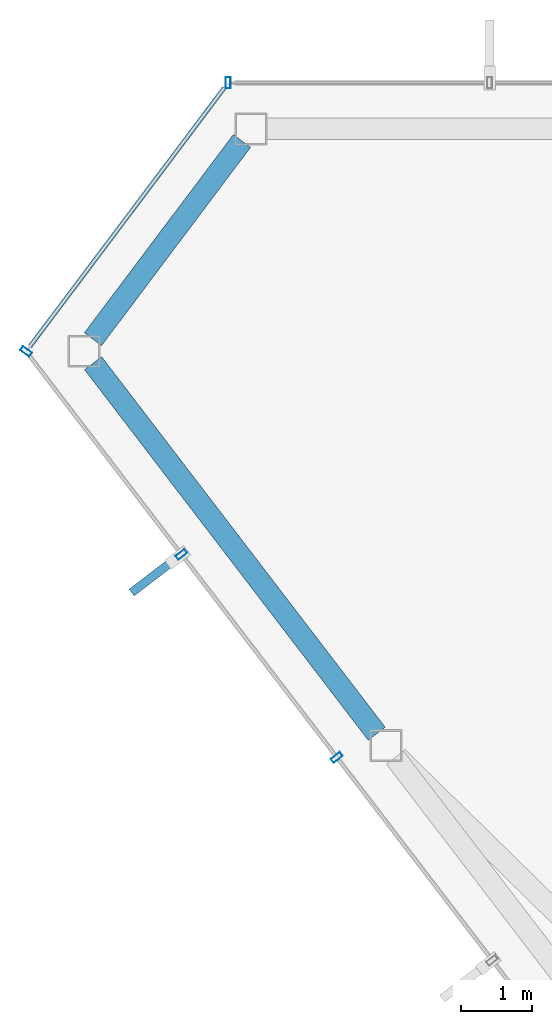
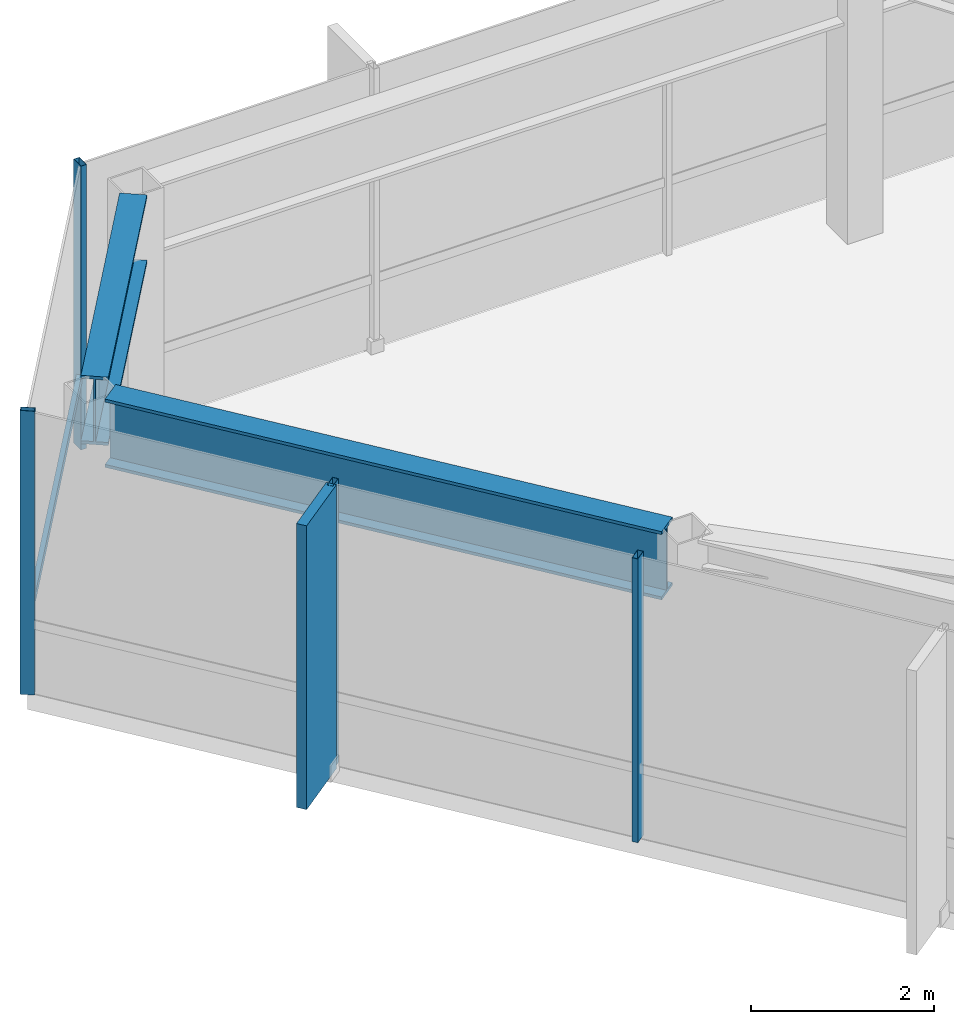
# One storey, part 8 of 21: 6 members, 2 beams, 3 elements without a shape of their own.
"""IFC4 building model written with IfcOpenShell, lengths in metres."""

import ifcopenshell
import ifcopenshell.guid

model = None  # the IFC model being written
_history = None  # IfcOwnerHistory: only IFC2X3 demands one
_inside = {}  # id of a spatial element -> (the spatial element, [elements in it])
_under = {}  # id of a project, library or spatial element -> (it, [spatial elements below it])
_declared = {}  # id of a project -> (the project, [libraries it declares])
_typed = {}  # id of a type object -> (the type object, [elements of that type])
_made_of = {}  # id of a material, layer set ... -> (it, [elements and type objects made of it])


def new_model(schema):
    """Start an empty IFC model of exactly this schema.

    Asked for "IFC4X3", IfcOpenShell would pick the latest addendum, in which some entities
    have other attributes; the version numbers below select the first issue.
    IFC2X3 requires an IfcOwnerHistory on every rooted entity: one is made here for all.
    """
    global model, _history
    if schema == "IFC4X3":
        model = ifcopenshell.file(schema_version=(4, 3, 0, 0))
    else:
        model = ifcopenshell.file(schema=schema)
    _inside.clear()
    _under.clear()
    _declared.clear()
    _typed.clear()
    _made_of.clear()
    _history = None
    if model.schema == "IFC2X3":
        org = make("IfcOrganization", Name="unknown")
        user = make(
            "IfcPersonAndOrganization",
            ThePerson=make("IfcPerson", FamilyName="unknown"),
            TheOrganization=org,
        )
        app = make(
            "IfcApplication",
            ApplicationDeveloper=org,
            Version="unknown",
            ApplicationFullName="unknown",
            ApplicationIdentifier="unknown",
        )
        _history = make(
            "IfcOwnerHistory",
            OwningUser=user,
            OwningApplication=app,
            ChangeAction="ADDED",
            CreationDate=0,
        )
    return model


def make(cls, **values):
    """One entity of the class cls with the attributes given. An attribute that is None is left unset."""
    return model.create_entity(
        cls, **{name: value for name, value in values.items() if value is not None}
    )


def rooted(cls, **values):
    """An entity with a GlobalId (a new one), such as an element, a storey or a relation."""
    return make(cls, GlobalId=ifcopenshell.guid.new(), OwnerHistory=_history, **values)


def si_unit(unit_type, name, prefix=None):
    """IfcSIUnit, for example si_unit("LENGTHUNIT", "METRE", prefix="MILLI")."""
    return make("IfcSIUnit", UnitType=unit_type, Prefix=prefix, Name=name)


def assignment(units):
    """IfcUnitAssignment: the units of a project."""
    return None if units is None else make("IfcUnitAssignment", Units=units)


def point(xyz):
    """IfcCartesianPoint."""
    return None if xyz is None else make("IfcCartesianPoint", Coordinates=xyz)


def direction(xyz):
    """IfcDirection."""
    return None if xyz is None else make("IfcDirection", DirectionRatios=xyz)


def frame(location, z_axis=None, x_axis=None):
    """IfcAxis2Placement3D, a coordinate frame: its origin and axes. An axis left out is left unset."""
    return make(
        "IfcAxis2Placement3D",
        Location=point(location),
        Axis=direction(z_axis),
        RefDirection=direction(x_axis),
    )


def frame_2d(location, x_axis=None):
    """IfcAxis2Placement2D, a coordinate frame in the plane: its origin and x axis."""
    return make(
        "IfcAxis2Placement2D", Location=point(location), RefDirection=direction(x_axis)
    )


def origin():
    """The frame at (0, 0, 0) with its axes left unset."""
    return frame((0.0, 0.0, 0.0))


def origin_2d():
    """The frame at (0, 0) in the plane with its x axis left unset."""
    return frame_2d((0.0, 0.0))


def place(relative_to, where):
    """IfcLocalPlacement: puts the frame where relative to a parent placement (None: the world)."""
    return make(
        "IfcLocalPlacement", PlacementRelTo=relative_to, RelativePlacement=where
    )


def context(
    kind, dimensions, precision=None, world=None, true_north=None, identifier=None
):
    """IfcGeometricRepresentationContext, for example the 3D "Model" context."""
    return make(
        "IfcGeometricRepresentationContext",
        ContextIdentifier=identifier,
        ContextType=kind,
        CoordinateSpaceDimension=dimensions,
        Precision=precision,
        WorldCoordinateSystem=world,
        TrueNorth=true_north,
    )


def subcontext(parent, identifier, kind, view, scale=None):
    """IfcGeometricRepresentationSubContext, for example "Body" below "Model"."""
    return make(
        "IfcGeometricRepresentationSubContext",
        ContextIdentifier=identifier,
        ContextType=kind,
        ParentContext=parent,
        TargetScale=scale,
        TargetView=view,
    )


def project(units=None, contexts=None):
    """IfcProject with its units and contexts."""
    return rooted(
        "IfcProject",
        Name="project",
        RepresentationContexts=contexts,
        UnitsInContext=assignment(units),
    )


def spatial(cls, under=None, at=None, **own):
    """A site, building, storey or space (cls), placed at a placement, below another one or the project."""
    s = rooted(cls, ObjectPlacement=at, **own)
    if under is not None:
        _under.setdefault(under.id(), (under, []))[1].append(s)
    return s


def profile(cls, at=None, kind="AREA", **sizes):
    """A parametric profile (cls). Its sizes go by their IFC names, for example OverallWidth=200.0."""
    return make(cls, ProfileType=kind, Position=at, **sizes)


def rectangle(**sizes):
    """IfcRectangleProfileDef."""
    return profile("IfcRectangleProfileDef", **sizes)


def hollow_rectangle(**sizes):
    """IfcRectangleHollowProfileDef."""
    return profile("IfcRectangleHollowProfileDef", **sizes)


def i_section(**sizes):
    """IfcIShapeProfileDef."""
    return profile("IfcIShapeProfileDef", **sizes)


def extrude(swept, where, along, depth):
    """IfcExtrudedAreaSolid: the profile swept, set in the frame where, extruded along a direction by depth."""
    return make(
        "IfcExtrudedAreaSolid",
        SweptArea=swept,
        Position=where,
        ExtrudedDirection=direction(along),
        Depth=depth,
    )


def shape(context_of_items, identifier, shape_type, items):
    """IfcShapeRepresentation: the items that make up one representation, for example the "Body"."""
    return make(
        "IfcShapeRepresentation",
        ContextOfItems=context_of_items,
        RepresentationIdentifier=identifier,
        RepresentationType=shape_type,
        Items=items,
    )


def material(Name=None, Category=None):
    """IfcMaterial."""
    return make("IfcMaterial", Name=Name, Category=Category)


def layer(
    of_material, thickness, ventilated=None, Name=None, Category=None, Priority=None
):
    """IfcMaterialLayer: one layer of a wall or slab, of a material (None: an air gap)."""
    return make(
        "IfcMaterialLayer",
        Material=of_material,
        LayerThickness=thickness,
        IsVentilated=ventilated,
        Name=Name,
        Category=Category,
        Priority=Priority,
    )


def layer_set(layers, Name=None):
    """IfcMaterialLayerSet."""
    return make("IfcMaterialLayerSet", MaterialLayers=layers, LayerSetName=Name)


def material_profile(
    of_material, cross_section, Name=None, Category=None, Priority=None
):
    """IfcMaterialProfile: a cross section and its material."""
    return make(
        "IfcMaterialProfile",
        Name=Name,
        Material=of_material,
        Profile=cross_section,
        Priority=Priority,
        Category=Category,
    )


def profile_set(profiles, Name=None, composite=None):
    """IfcMaterialProfileSet."""
    return make(
        "IfcMaterialProfileSet",
        Name=Name,
        MaterialProfiles=profiles,
        CompositeProfile=composite,
    )


def made_of(thing, what):
    """Note that an element or type object is made of a material, layer set ...; save() writes the relation."""
    if what is not None:
        _made_of.setdefault(what.id(), (what, []))[1].append(thing)
    return thing


def type_object(cls, material=None, **own):
    """A type object (cls), such as IfcWallType, which elements share."""
    return made_of(rooted(cls, **own), material)


def element(
    cls,
    number,
    at=None,
    inside=None,
    cuts=None,
    type_object=None,
    material=None,
    context=None,
    identifier="Body",
    shape_type=None,
    held_by="IfcProductDefinitionShape",
    body=None,
    shapes=None,
    **own,
):
    """One element of the class cls, such as IfcWall. Its Tag is "e" and its number.

    at: its placement. inside: the storey or other place that contains it. cuts: it is an
    opening in that element (IfcRelVoidsElement). A single representation is given by context,
    identifier, shape_type and body (its items); several are given by shapes. held_by: the class
    of the entity that holds the representations. save() writes the other relations.
    """
    e = rooted(cls, Tag="e%d" % number, ObjectPlacement=at, **own)
    if body is not None:
        shapes = [shape(context, identifier, shape_type, body)]
    if shapes is not None:
        e.Representation = make(held_by, Representations=shapes)
    if inside is not None:
        _inside.setdefault(inside.id(), (inside, []))[1].append(e)
    if cuts is not None:
        rooted(
            "IfcRelVoidsElement", RelatingBuildingElement=cuts, RelatedOpeningElement=e
        )
    if type_object is not None:
        _typed.setdefault(type_object.id(), (type_object, []))[1].append(e)
    return made_of(e, material)


def aggregate(whole, parts):
    """IfcRelAggregates: a whole, such as a stair, and the parts it consists of."""
    return rooted("IfcRelAggregates", RelatingObject=whole, RelatedObjects=parts)


def save(model, path):
    """Write the relations noted so far, then the file.

    IfcRelAggregates (storeys below a building ...), IfcRelContainedInSpatialStructure (elements
    in a storey), IfcRelDefinesByType, IfcRelAssociatesMaterial and IfcRelDeclares: one each for
    every whole, place, type object, material and project.
    """
    for whole, parts in _under.values():
        aggregate(whole, parts)
    for where, things in _inside.values():
        rooted(
            "IfcRelContainedInSpatialStructure",
            RelatedElements=things,
            RelatingStructure=where,
        )
    for kind, things in _typed.values():
        rooted("IfcRelDefinesByType", RelatedObjects=things, RelatingType=kind)
    for what, things in _made_of.values():
        rooted("IfcRelAssociatesMaterial", RelatedObjects=things, RelatingMaterial=what)
    for by, libraries in _declared.values():
        rooted("IfcRelDeclares", RelatingContext=by, RelatedDefinitions=libraries)
    model.write(path)


model = new_model("IFC4")

# Units and contexts
model_context = context("Model", 3, precision=1e-05, world=origin(), true_north=direction((0.0, 1.0)))
body_context = subcontext(model_context, "Body", "Model", "MODEL_VIEW")
ifc_project = project(units=[si_unit("LENGTHUNIT", "METRE"), si_unit("AREAUNIT", "SQUARE_METRE"), si_unit("VOLUMEUNIT", "CUBIC_METRE"), si_unit("PLANEANGLEUNIT", "RADIAN"), si_unit("MASSUNIT", "GRAM", prefix="KILO")], contexts=[model_context])

# Site, building, storey
site_placement = place(None, origin())
site = spatial("IfcSite", under=ifc_project, at=site_placement, CompositionType="ELEMENT")
building_placement = place(site_placement, origin())
building = spatial("IfcBuilding", under=site, at=building_placement, Name="Zarrinselat Tower", CompositionType="ELEMENT")
storey_placement = place(building_placement, frame((0.0, 0.0, 299.199951171875)))
storey = spatial("IfcBuildingStorey", under=building, at=storey_placement, Name="L77", CompositionType="ELEMENT", Elevation=299.199951171875)

# Beams
ifc_material_1 = material(Name="Steel S460M", Category="steel")
ifc_material_profile_1 = material_profile(ifc_material_1, i_section(OverallWidth=0.302001953125, OverallDepth=0.909912109375, WebThickness=0.02099609375, FlangeThickness=0.0400390625, at=origin_2d()), Name="HEM 900")
ifc_profile_set_1 = profile_set([ifc_material_profile_1], Name="Steel S460M")
beam_type = type_object("IfcBeamType", Name="BM-HEM900", PredefinedType="BEAM", material=ifc_profile_set_1)
beam_1_placement = place(storey_placement, frame((17.744384765625, 43.785400390625, 3.324951171875), z_axis=(0.60081548958, 0.799387732881, 0.0), x_axis=(-0.799387732881, 0.60081548958, 0.0)))
element("IfcBeam", 1, at=beam_1_placement, inside=storey, type_object=beam_type, Name="L77 Perimeter Spandrel Girder SP05", PredefinedType="BEAM", context=body_context, shape_type="SweptSolid", body=[
    extrude(i_section(OverallWidth=0.302001953125, OverallDepth=0.909912109375, WebThickness=0.02099609375, FlangeThickness=0.0400390625, at=origin_2d()), origin(), (0.0, 0.0, 1.0), 3.495361328125),
])
beam_2_placement = place(storey_placement, frame((17.745849609375, 43.446044921875, 3.324951171875), z_axis=(0.607893681854, -0.794018432759, 0.0), x_axis=(0.794018432759, 0.607893681854, 0.0)))
element("IfcBeam", 2, at=beam_2_placement, inside=storey, type_object=beam_type, Name="L77 Perimeter Spandrel Girder SP06", PredefinedType="BEAM", context=body_context, shape_type="SweptSolid", body=[
    extrude(i_section(OverallWidth=0.302001953125, OverallDepth=0.909912109375, WebThickness=0.02099609375, FlangeThickness=0.0400390625, at=origin_2d()), origin(), (0.0, 0.0, 1.0), 6.576904296875),
])

# Curtain wall, member
ifc_material_2 = material(Name="Extruded Aluminium Alloy EN AW-6063 T6", Category="aluminium")
ifc_layer = layer(ifc_material_2, 0.169921875)
ifc_layer_set = layer_set([ifc_layer], Name="Extruded Aluminium Alloy EN AW-6063 T6")
curtain_wall_type = type_object("IfcCurtainWallType", Name="CWS-RES", PredefinedType="NOTDEFINED", material=ifc_layer_set)
curtain_wall_1_placement = place(storey_placement, origin())
curtain_wall_1 = element("IfcCurtainWall", 3, at=curtain_wall_1_placement, inside=storey, type_object=curtain_wall_type, Name="L77 Unitised Curtain Wall CW-L77-E01", PredefinedType="NOTDEFINED")
ifc_material_3 = material(Name="Extruded Aluminium Alloy EN AW-6063 T6", Category="aluminium")
ifc_material_profile_2 = material_profile(ifc_material_3, hollow_rectangle(XDim=0.070068359375, YDim=0.159912109375, WallThickness=0.00390625, at=origin_2d()), Name="RHS 160x70x4")
ifc_profile_set_2 = profile_set([ifc_material_profile_2], Name="Extruded Aluminium Alloy EN AW-6063 T6")
member_type_1 = type_object("IfcMemberType", Name="MEM-CW-MUL2", PredefinedType="MULLION", material=ifc_profile_set_2)
member_1_placement = place(storey_placement, frame((19.64794921875, 47.39990234375, 0.0), z_axis=(0.0, 0.0, 1.0), x_axis=(-1.0, 0.0, 0.0)))
member_1 = element("IfcMember", 4, at=member_1_placement, type_object=member_type_1, Name="CW-L77-E01 Mullion 12", PredefinedType="MULLION", context=body_context, shape_type="SweptSolid", body=[
    extrude(hollow_rectangle(XDim=0.070068359375, YDim=0.159912109375, WallThickness=0.00390625, at=origin_2d()), origin(), (0.0, 0.0, 1.0), 3.780029296875),
])
aggregate(curtain_wall_1, [member_1])

curtain_wall_2_placement = place(storey_placement, origin())
curtain_wall_2 = element("IfcCurtainWall", 5, at=curtain_wall_2_placement, inside=storey, type_object=curtain_wall_type, Name="L77 Unitised Curtain Wall CW-L77-E02", PredefinedType="NOTDEFINED")
member_2_placement = place(storey_placement, frame((16.80029296875, 43.611572265625, 0.0), z_axis=(0.0, 0.0, 1.0), x_axis=(-0.600850422382, -0.799361476382, 0.0)))
member_2 = element("IfcMember", 6, at=member_2_placement, type_object=member_type_1, Name="CW-L77-E02 Mullion 1", PredefinedType="MULLION", context=body_context, shape_type="SweptSolid", body=[
    extrude(hollow_rectangle(XDim=0.070068359375, YDim=0.159912109375, WallThickness=0.00390625, at=origin_2d()), origin(), (0.0, 0.0, 1.0), 3.780029296875),
])

# Curtain wall, members
curtain_wall_3_placement = place(storey_placement, origin())
curtain_wall_3 = element("IfcCurtainWall", 7, at=curtain_wall_3_placement, inside=storey, type_object=curtain_wall_type, Name="L77 Unitised Curtain Wall CW-L77-E03", PredefinedType="NOTDEFINED")
member_3_placement = place(storey_placement, frame((18.99072265625, 40.75048828125, 0.0), z_axis=(0.0, 0.0, 1.0), x_axis=(0.607898371255, -0.794014842572, 0.0)))
member_3 = element("IfcMember", 8, at=member_3_placement, type_object=member_type_1, Name="CW-L77-E03 Mullion 1", PredefinedType="MULLION", context=body_context, shape_type="SweptSolid", body=[
    extrude(hollow_rectangle(XDim=0.070068359375, YDim=0.159912109375, WallThickness=0.00390625, at=origin_2d()), origin(), (0.0, 0.0, 1.0), 3.780029296875),
])
member_4_placement = place(storey_placement, frame((21.18115234375, 37.889404296875, 0.0), z_axis=(0.0, 0.0, 1.0), x_axis=(0.607898371255, -0.794014842572, 0.0)))
member_4 = element("IfcMember", 9, at=member_4_placement, type_object=member_type_1, Name="CW-L77-E03 Mullion 2", PredefinedType="MULLION", context=body_context, shape_type="SweptSolid", body=[
    extrude(hollow_rectangle(XDim=0.070068359375, YDim=0.159912109375, WallThickness=0.00390625, at=origin_2d()), origin(), (0.0, 0.0, 1.0), 3.780029296875),
])

# Member
ifc_material_4 = material(Name="Extruded Aluminium Alloy EN AW-6063 T6", Category="aluminium")
ifc_material_profile_3 = material_profile(ifc_material_4, hollow_rectangle(XDim=0.06005859375, YDim=0.1201171875, WallThickness=0.00390625, at=origin_2d()), Name="RHS 120x60x4")
ifc_profile_set_3 = profile_set([ifc_material_profile_3], Name="Extruded Aluminium Alloy EN AW-6063 T6")
member_type_2 = type_object("IfcMemberType", Name="MEM-CW-TRN2", PredefinedType="USERDEFINED", material=ifc_profile_set_3)
member_5_placement = place(storey_placement, frame((19.593994140625, 47.328125, 0.949951171875), z_axis=(-0.600856415803, -0.799356971314, 0.0), x_axis=(0.799356971314, -0.600856415803, 0.0)))
member_5 = element("IfcMember", 10, at=member_5_placement, type_object=member_type_2, Name="CW-L77-E02 Transom 1", ObjectType="TRANSOM", PredefinedType="USERDEFINED", context=body_context, shape_type="SweptSolid", body=[
    extrude(hollow_rectangle(XDim=0.06005859375, YDim=0.1201171875, WallThickness=0.00390625, at=origin_2d()), origin(), (0.0, 0.0, 1.0), 4.559326171875),
])

aggregate(curtain_wall_2, [member_2, member_5])

ifc_material_5 = material(Name="Honed Cream Travertine Stone", Category="masonry")
ifc_material_profile_4 = material_profile(ifc_material_5, rectangle(XDim=0.1201171875, YDim=0.85009765625, at=origin_2d()), Name="FIN 850x120")
ifc_profile_set_4 = profile_set([ifc_material_profile_4], Name="Honed Cream Travertine Stone")
member_type_3 = type_object("IfcMemberType", Name="MEM-STONE-FIN", PredefinedType="USERDEFINED", material=ifc_profile_set_4)
member_6_placement = place(storey_placement, frame((18.62548828125, 40.470947265625, 0.0), z_axis=(0.0, 0.0, 1.0), x_axis=(-0.607898371255, 0.794014842572, 0.0)))
member_6 = element("IfcMember", 11, at=member_6_placement, type_object=member_type_3, Name="L77 Stone Shading Fin CW-L77-E03-01", ObjectType="FIN", PredefinedType="USERDEFINED", context=body_context, shape_type="SweptSolid", body=[
    extrude(rectangle(XDim=0.1201171875, YDim=0.85009765625, at=origin_2d()), origin(), (0.0, 0.0, 1.0), 3.780029296875),
])

aggregate(curtain_wall_3, [member_3, member_6, member_4])

save(model, "model.ifc")
